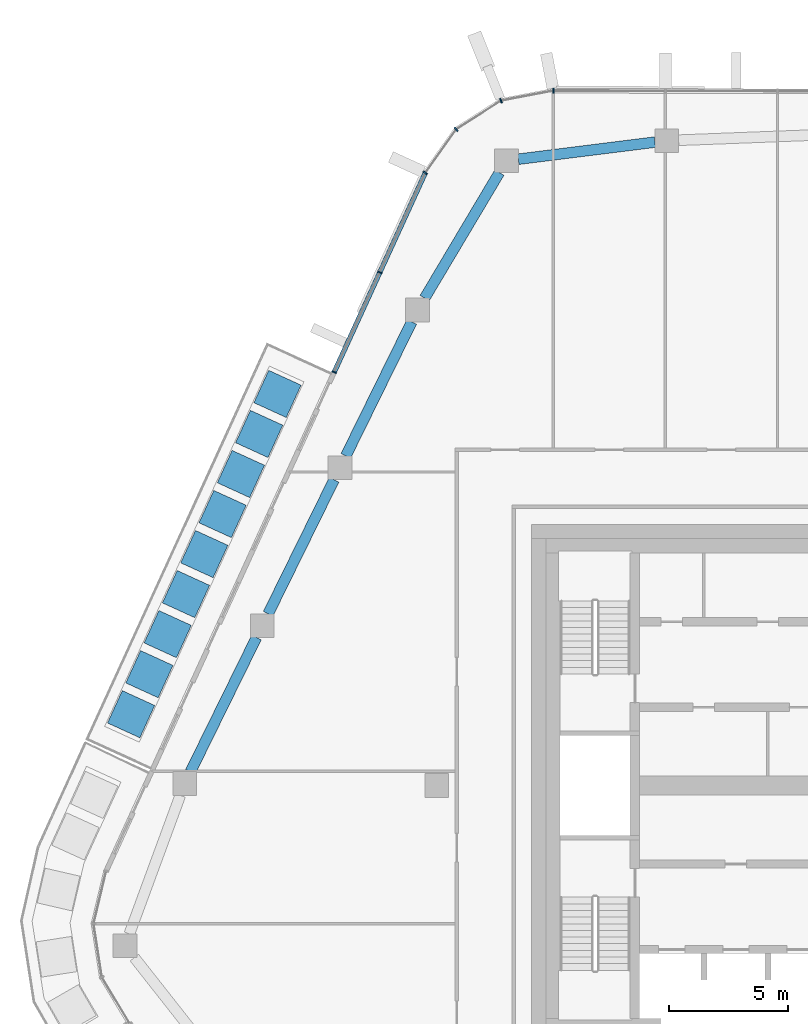
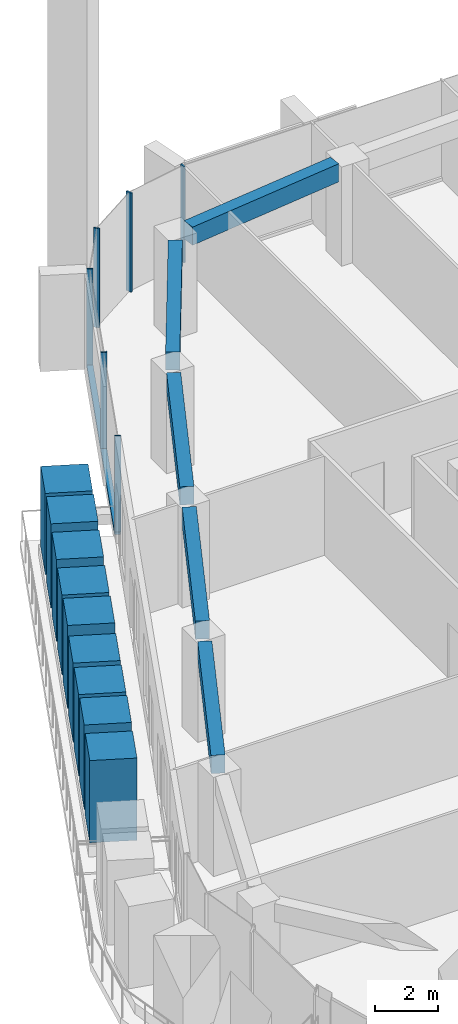
# One storey, part 6 of 24: 16 members, 5 beams, 3 elements without a shape of their own.
"""IFC4 building model written with IfcOpenShell, lengths in metres."""

from ifc_helpers import new_model, si_unit, direction, frame, origin, origin_2d, place, context, subcontext, project, spatial, rectangle, extrude, material, layer, layer_set, material_profile, profile_set, type_object, element, aggregate, save


model = new_model("IFC4")

# Units and contexts
model_context = context("Model", 3, precision=1e-05, world=origin(), true_north=direction((0.0, 1.0)))
body_context = subcontext(model_context, "Body", "Model", "MODEL_VIEW")
ifc_project = project(units=[si_unit("LENGTHUNIT", "METRE"), si_unit("AREAUNIT", "SQUARE_METRE"), si_unit("VOLUMEUNIT", "CUBIC_METRE"), si_unit("PLANEANGLEUNIT", "RADIAN"), si_unit("MASSUNIT", "GRAM", prefix="KILO")], contexts=[model_context])

# Site, building, storey
site_placement = place(None, origin())
site = spatial("IfcSite", under=ifc_project, at=site_placement, CompositionType="ELEMENT")
building_placement = place(site_placement, origin())
building = spatial("IfcBuilding", under=site, at=building_placement, Name="Dongbaek Canopy Tower", CompositionType="ELEMENT")
storey_placement = place(building_placement, frame((0.0, 0.0, 306.800048828125)))
storey = spatial("IfcBuildingStorey", under=building, at=storey_placement, Name="L65", CompositionType="ELEMENT", Elevation=306.800048828125)

# Curtain wall, member
ifc_material_1 = material(Name="Aluminium 6063-T6 pale anodised", Category="aluminium")
ifc_layer = layer(ifc_material_1, 0.199951171875)
ifc_layer_set = layer_set([ifc_layer], Name="CW-1 unitised tower curtain wall")
curtain_wall_type = type_object("IfcCurtainWallType", Name="CW-1 unitised tower curtain wall", PredefinedType="NOTDEFINED", material=ifc_layer_set)
curtain_wall_1_placement = place(storey_placement, origin())
curtain_wall_1 = element("IfcCurtainWall", 1, at=curtain_wall_1_placement, inside=storey, type_object=curtain_wall_type, Name="CW-1 curtain wall F1.1", PredefinedType="NOTDEFINED")
ifc_material_2 = material(Name="Aluminium 6063-T6 pale anodised", Category="aluminium")
ifc_material_profile_1 = material_profile(ifc_material_2, rectangle(XDim=0.199951171875, YDim=0.06005859375, at=origin_2d()), Name="CW-1 mullion 60 x 200")
ifc_profile_set_1 = profile_set([ifc_material_profile_1], Name="Aluminium 6063-T6 pale anodised")
member_type_1 = type_object("IfcMemberType", Name="CW-1 mullion 60 x 200", PredefinedType="MULLION", material=ifc_profile_set_1)
member_1_placement = place(storey_placement, frame((-13.08740234375, 29.26806640625, 0.119873046875), z_axis=(0.0, 0.0, 1.0), x_axis=(0.002180161438, 0.999997623445, 0.0)))
member_1 = element("IfcMember", 2, at=member_1_placement, type_object=member_type_1, Name="CW-1 mullion F1.1.6", PredefinedType="MULLION", context=body_context, shape_type="SweptSolid", body=[
    extrude(rectangle(XDim=0.199951171875, YDim=0.06005859375, at=origin_2d()), origin(), (0.0, 0.0, 1.0), 3.7001953125),
])
aggregate(curtain_wall_1, [member_1])

# Curtain wall, members
curtain_wall_2_placement = place(storey_placement, origin())
curtain_wall_2 = element("IfcCurtainWall", 3, at=curtain_wall_2_placement, inside=storey, type_object=curtain_wall_type, Name="CW-1 curtain wall K2.1", PredefinedType="NOTDEFINED")
member_2_placement = place(storey_placement, frame((-15.29345703125, 28.84716796875, 0.0), z_axis=(0.0, 0.0, 1.0), x_axis=(-0.370211315816, 0.928947566681, 0.0)))
member_2 = element("IfcMember", 4, at=member_2_placement, type_object=member_type_1, Name="CW-1 mullion K2.1.2", PredefinedType="MULLION", context=body_context, shape_type="SweptSolid", body=[
    extrude(rectangle(XDim=0.199951171875, YDim=0.06005859375, at=origin_2d()), origin(), (0.0, 0.0, 1.0), 3.820068359375),
])
member_3_placement = place(storey_placement, frame((-17.176025390625, 27.640625, 0.0), z_axis=(0.0, 0.0, 1.0), x_axis=(-0.689394718544, 0.724385893046, 0.0)))
member_3 = element("IfcMember", 5, at=member_3_placement, type_object=member_type_1, Name="CW-1 mullion K2.1.3", PredefinedType="MULLION", context=body_context, shape_type="SweptSolid", body=[
    extrude(rectangle(XDim=0.199951171875, YDim=0.06005859375, at=origin_2d()), origin(), (0.0, 0.0, 1.0), 3.820068359375),
])
member_4_placement = place(storey_placement, frame((-18.479736328125, 25.81201171875, 0.0), z_axis=(0.0, 0.0, 1.0), x_axis=(-0.814206693325, 0.580575111889, 0.0)))
member_4 = element("IfcMember", 6, at=member_4_placement, type_object=member_type_1, Name="CW-1 mullion K2.1.4", PredefinedType="MULLION", context=body_context, shape_type="SweptSolid", body=[
    extrude(rectangle(XDim=0.199951171875, YDim=0.06005859375, at=origin_2d()), origin(), (0.0, 0.0, 1.0), 3.820068359375),
])
aggregate(curtain_wall_2, [member_2, member_3, member_4])

curtain_wall_3_placement = place(storey_placement, origin())
curtain_wall_3 = element("IfcCurtainWall", 7, at=curtain_wall_3_placement, inside=storey, type_object=curtain_wall_type, Name="CW-1 curtain wall F2.1", PredefinedType="NOTDEFINED")
member_5_placement = place(storey_placement, frame((-20.397216796875, 21.617431640625, 0.119873046875), z_axis=(0.0, 0.0, 1.0), x_axis=(-0.909495883664, 0.415712926909, 0.0)))
member_5 = element("IfcMember", 8, at=member_5_placement, type_object=member_type_1, Name="CW-1 mullion F2.1.2", PredefinedType="MULLION", context=body_context, shape_type="SweptSolid", body=[
    extrude(rectangle(XDim=0.199951171875, YDim=0.06005859375, at=origin_2d()), origin(), (0.0, 0.0, 1.0), 3.7001953125),
])
member_6_placement = place(storey_placement, frame((-22.318359375, 17.4140625, 0.119873046875), z_axis=(0.0, 0.0, 1.0), x_axis=(-0.909495883664, 0.415712926909, 0.0)))
member_6 = element("IfcMember", 9, at=member_6_placement, type_object=member_type_1, Name="CW-1 mullion F2.1.3", PredefinedType="MULLION", context=body_context, shape_type="SweptSolid", body=[
    extrude(rectangle(XDim=0.199951171875, YDim=0.06005859375, at=origin_2d()), origin(), (0.0, 0.0, 1.0), 3.7001953125),
])
ifc_material_3 = material(Name="Aluminium 6063-T6 pale anodised", Category="aluminium")
ifc_material_profile_2 = material_profile(ifc_material_3, rectangle(XDim=0.199951171875, YDim=0.1201171875, at=origin_2d()), Name="CW-1 transom 120 x 200")
ifc_profile_set_2 = profile_set([ifc_material_profile_2], Name="Aluminium 6063-T6 pale anodised")
member_type_2 = type_object("IfcMemberType", Name="CW-1 transom 120 x 200", PredefinedType="USERDEFINED", material=ifc_profile_set_2)
member_7_placement = place(storey_placement, frame((-18.479736328125, 25.81201171875, 0.06005859375), z_axis=(-0.415720394045, -0.909492470543, 0.0), x_axis=(0.909492470543, -0.415720394045, 0.0)))
member_7 = element("IfcMember", 10, at=member_7_placement, type_object=member_type_2, Name="CW-1 transom F2.1.1", ObjectType="TRANSOM", PredefinedType="USERDEFINED", context=body_context, shape_type="SweptSolid", body=[
    extrude(rectangle(XDim=0.199951171875, YDim=0.1201171875, at=origin_2d()), origin(), (0.0, 0.0, 1.0), 9.233642578125),
])
aggregate(curtain_wall_3, [member_5, member_6, member_7])

# Beams
ifc_material_4 = material(Name="Concrete C60", Category="concrete")
ifc_material_profile_3 = material_profile(ifc_material_4, rectangle(XDim=0.449951171875, YDim=0.699951171875, at=origin_2d()), Name="RC EDGE BEAM 450x700 C60")
ifc_profile_set_3 = profile_set([ifc_material_profile_3], Name="Concrete C60")
beam_type = type_object("IfcBeamType", Name="RC EDGE BEAM 450x700 C60", PredefinedType="BEAM", material=ifc_profile_set_3)
for number, where, z_axis, x_axis, name in (
    (11, (-28.37109375, 0.5859375, 3.469970703125), (0.441293546446, 0.897362806152, 0.0), (-0.897362806152, 0.441293546446, 0.0), "EDGEBEAM:L65:09"),
    (12, (-25.10107421875, 7.235107421875, 3.469970703125), (0.441433810223, 0.897293815421, 0.0), (-0.897293815421, 0.441433810223, 0.0), "EDGEBEAM:L65:10"),
):
    element("IfcBeam", number, at=place(storey_placement, frame(where, z_axis=z_axis, x_axis=x_axis)), inside=storey, type_object=beam_type, Name=name, PredefinedType="BEAM", context=body_context, shape_type="SweptSolid", body=[
        extrude(rectangle(XDim=0.449951171875, YDim=0.699951171875, at=origin_2d()), origin(), (0.0, 0.0, 1.0), 6.29541015625),
    ])
beam_1_placement = place(storey_placement, frame((-21.830078125, 13.884033203125, 3.469970703125), z_axis=(0.441370345445, 0.897325034846, 0.0), x_axis=(-0.897325034846, 0.441370345445, 0.0)))
element("IfcBeam", 13, at=beam_1_placement, inside=storey, type_object=beam_type, Name="EDGEBEAM:L65:11", PredefinedType="BEAM", context=body_context, shape_type="SweptSolid", body=[
    extrude(rectangle(XDim=0.449951171875, YDim=0.699951171875, at=origin_2d()), origin(), (0.0, 0.0, 1.0), 6.294189453125),
])
beam_2_placement = place(storey_placement, frame((-18.50830078125, 20.531982421875, 3.469970703125), z_axis=(0.511535459107, 0.859262168419, 0.0), x_axis=(-0.859262168419, 0.511535459107, 0.0)))
element("IfcBeam", 14, at=beam_2_placement, inside=storey, type_object=beam_type, Name="EDGEBEAM:L65:12", PredefinedType="BEAM", context=body_context, shape_type="SweptSolid", body=[
    extrude(rectangle(XDim=0.449951171875, YDim=0.699951171875, at=origin_2d()), origin(), (0.0, 0.0, 1.0), 6.1552734375),
])
beam_3_placement = place(storey_placement, frame((-14.56201171875, 26.38330078125, 3.469970703125), z_axis=(0.992296006086, 0.123889613389, 0.0), x_axis=(-0.123889613389, 0.992296006086, 0.0)))
element("IfcBeam", 15, at=beam_3_placement, inside=storey, type_object=beam_type, Name="EDGEBEAM:L65:13", PredefinedType="BEAM", context=body_context, shape_type="SweptSolid", body=[
    extrude(rectangle(XDim=0.449951171875, YDim=0.699951171875, at=origin_2d()), origin(), (0.0, 0.0, 1.0), 5.797607421875),
])

# Members
ifc_material_5 = material(Name="Concrete C40/50 planter mass with planting", Category="concrete")
ifc_material_profile_4 = material_profile(ifc_material_5, rectangle(XDim=1.5, YDim=1.5, at=origin_2d()), Name="Terrace PLANTER shrub mass 1500 x 1500")
ifc_profile_set_4 = profile_set([ifc_material_profile_4], Name="Concrete C40/50 planter mass with planting")
member_type_3 = type_object("IfcMemberType", Name="Terrace PLANTER shrub mass 1500 x 1500", PredefinedType="USERDEFINED", material=ifc_profile_set_4)
member_8_placement = place(storey_placement, frame((-24.705810546875, 16.49658203125, 0.419921875), z_axis=(0.0, 0.0, 1.0), x_axis=(-0.909495883664, 0.415712926909, 0.0)))
element("IfcMember", 16, at=member_8_placement, inside=storey, type_object=member_type_3, Name="Planter shrubs L65 2.1", ObjectType="PLANTER", PredefinedType="USERDEFINED", context=body_context, shape_type="SweptSolid", body=[
    extrude(rectangle(XDim=1.5, YDim=1.5, at=origin_2d()), origin(), (0.0, 0.0, 1.0), 3.130126953125),
])
member_9_placement = place(storey_placement, frame((-25.4765625, 14.810302734375, 0.419921875), z_axis=(0.0, 0.0, 1.0), x_axis=(-0.909495883664, 0.415712926909, 0.0)))
element("IfcMember", 17, at=member_9_placement, inside=storey, type_object=member_type_3, Name="Planter shrubs L65 2.2", ObjectType="PLANTER", PredefinedType="USERDEFINED", context=body_context, shape_type="SweptSolid", body=[
    extrude(rectangle(XDim=1.5, YDim=1.5, at=origin_2d()), origin(), (0.0, 0.0, 1.0), 3.25),
])
member_10_placement = place(storey_placement, frame((-26.247314453125, 13.1240234375, 0.419921875), z_axis=(0.0, 0.0, 1.0), x_axis=(-0.909495883664, 0.415712926909, 0.0)))
element("IfcMember", 18, at=member_10_placement, inside=storey, type_object=member_type_3, Name="Planter shrubs L65 2.3", ObjectType="PLANTER", PredefinedType="USERDEFINED", context=body_context, shape_type="SweptSolid", body=[
    extrude(rectangle(XDim=1.5, YDim=1.5, at=origin_2d()), origin(), (0.0, 0.0, 1.0), 3.169921875),
])
member_11_placement = place(storey_placement, frame((-27.01806640625, 11.437744140625, 0.419921875), z_axis=(0.0, 0.0, 1.0), x_axis=(-0.909495883664, 0.415712926909, 0.0)))
element("IfcMember", 19, at=member_11_placement, inside=storey, type_object=member_type_3, Name="Planter shrubs L65 2.4", ObjectType="PLANTER", PredefinedType="USERDEFINED", context=body_context, shape_type="SweptSolid", body=[
    extrude(rectangle(XDim=1.5, YDim=1.5, at=origin_2d()), origin(), (0.0, 0.0, 1.0), 3.090087890625),
])
member_12_placement = place(storey_placement, frame((-27.788818359375, 9.75146484375, 0.419921875), z_axis=(0.0, 0.0, 1.0), x_axis=(-0.909495883664, 0.415712926909, 0.0)))
element("IfcMember", 20, at=member_12_placement, inside=storey, type_object=member_type_3, Name="Planter shrubs L65 2.5", ObjectType="PLANTER", PredefinedType="USERDEFINED", context=body_context, shape_type="SweptSolid", body=[
    extrude(rectangle(XDim=1.5, YDim=1.5, at=origin_2d()), origin(), (0.0, 0.0, 1.0), 3.2099609375),
])
member_13_placement = place(storey_placement, frame((-28.5595703125, 8.065185546875, 0.419921875), z_axis=(0.0, 0.0, 1.0), x_axis=(-0.909495883664, 0.415712926909, 0.0)))
element("IfcMember", 21, at=member_13_placement, inside=storey, type_object=member_type_3, Name="Planter shrubs L65 2.6", ObjectType="PLANTER", PredefinedType="USERDEFINED", context=body_context, shape_type="SweptSolid", body=[
    extrude(rectangle(XDim=1.5, YDim=1.5, at=origin_2d()), origin(), (0.0, 0.0, 1.0), 3.050048828125),
])
member_14_placement = place(storey_placement, frame((-29.330322265625, 6.37890625, 0.419921875), z_axis=(0.0, 0.0, 1.0), x_axis=(-0.909495883664, 0.415712926909, 0.0)))
element("IfcMember", 22, at=member_14_placement, inside=storey, type_object=member_type_3, Name="Planter shrubs L65 2.7", ObjectType="PLANTER", PredefinedType="USERDEFINED", context=body_context, shape_type="SweptSolid", body=[
    extrude(rectangle(XDim=1.5, YDim=1.5, at=origin_2d()), origin(), (0.0, 0.0, 1.0), 3.130126953125),
])
member_15_placement = place(storey_placement, frame((-30.101318359375, 4.69287109375, 0.419921875), z_axis=(0.0, 0.0, 1.0), x_axis=(-0.909495883664, 0.415712926909, 0.0)))
element("IfcMember", 23, at=member_15_placement, inside=storey, type_object=member_type_3, Name="Planter shrubs L65 2.8", ObjectType="PLANTER", PredefinedType="USERDEFINED", context=body_context, shape_type="SweptSolid", body=[
    extrude(rectangle(XDim=1.5, YDim=1.5, at=origin_2d()), origin(), (0.0, 0.0, 1.0), 3.25),
])
member_16_placement = place(storey_placement, frame((-30.8720703125, 3.006591796875, 0.419921875), z_axis=(0.0, 0.0, 1.0), x_axis=(-0.909495883664, 0.415712926909, 0.0)))
element("IfcMember", 24, at=member_16_placement, inside=storey, type_object=member_type_3, Name="Planter shrubs L65 2.9", ObjectType="PLANTER", PredefinedType="USERDEFINED", context=body_context, shape_type="SweptSolid", body=[
    extrude(rectangle(XDim=1.5, YDim=1.5, at=origin_2d()), origin(), (0.0, 0.0, 1.0), 3.169921875),
])

save(model, "model.ifc")
